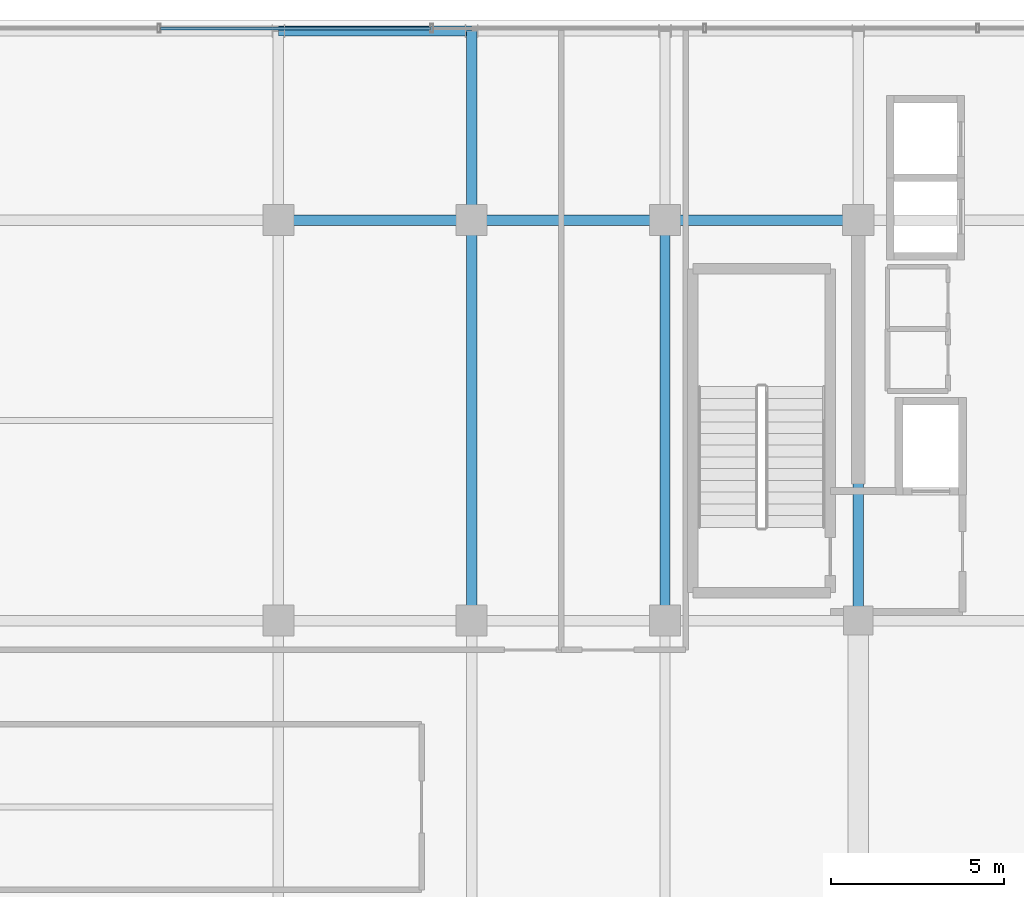
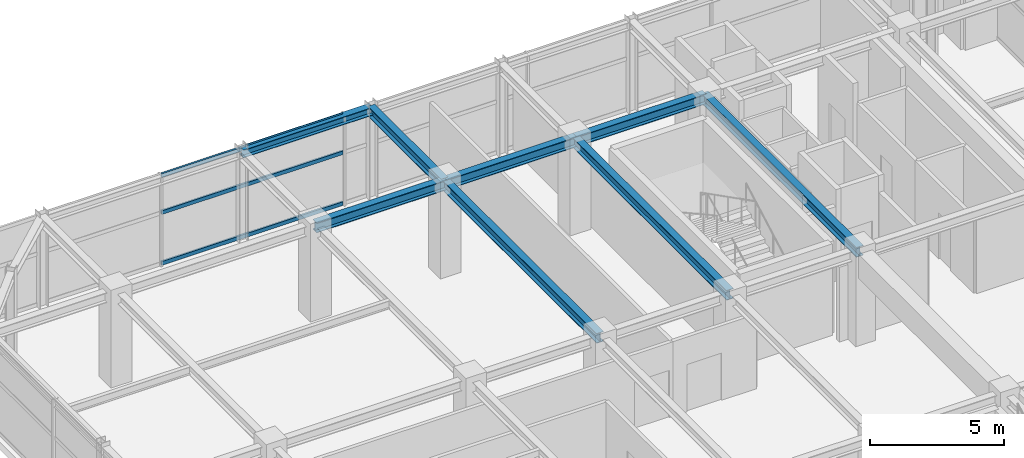
# One storey, part 13 of 20: 8 beams, 3 members, 1 element without a shape of its own.
"""IFC4 building model written with IfcOpenShell, lengths in metres."""

from ifc_helpers import new_model, si_unit, direction, frame, origin, origin_2d, place, context, subcontext, project, spatial, hollow_rectangle, i_section, extrude, source, transform, mapped, material, material_profile, profile_set, type_object, element, aggregate, save


model = new_model("IFC4")

# Units and contexts
model_context = context("Model", 3, precision=1e-05, world=origin(), true_north=direction((0.0, 1.0)))
body_context = subcontext(model_context, "Body", "Model", "MODEL_VIEW")
ifc_project = project(units=[si_unit("LENGTHUNIT", "METRE"), si_unit("AREAUNIT", "SQUARE_METRE"), si_unit("VOLUMEUNIT", "CUBIC_METRE"), si_unit("PLANEANGLEUNIT", "RADIAN"), si_unit("MASSUNIT", "GRAM", prefix="KILO")], contexts=[model_context])

# Site, building, storey
site_placement = place(None, origin())
site = spatial("IfcSite", under=ifc_project, at=site_placement, CompositionType="ELEMENT")
building_placement = place(site_placement, origin())
building = spatial("IfcBuilding", under=site, at=building_placement, Name="Nahalor Promenade Grand Hotel", CompositionType="ELEMENT")
storey_placement = place(building_placement, frame((0.0, 0.0, 347.550048828125)))
storey = spatial("IfcBuildingStorey", under=building, at=storey_placement, Name="L89", CompositionType="ELEMENT", Elevation=347.550048828125)

# Beams
ifc_material_1 = material(Name="Steel S355JR", Category="steel")
ifc_material_profile_1 = material_profile(ifc_material_1, i_section(OverallWidth=0.3, OverallDepth=0.45, WebThickness=0.014, FlangeThickness=0.026, at=origin_2d()), Name="HEB 450")
ifc_profile_set_1 = profile_set([ifc_material_profile_1], Name="Steel S355JR")
beam_type_1 = type_object("IfcBeamType", Name="Beam-Girder-HEB450", PredefinedType="BEAM", material=ifc_profile_set_1)
shared_shape_1 = source(origin(), body_context, "Body", "SweptSolid", [
    extrude(i_section(OverallWidth=0.3, OverallDepth=0.45, WebThickness=0.014, FlangeThickness=0.026, at=origin_2d()), origin(), (0.0, 0.0, 1.0), 5.599853515625),
])
for number, where, z_axis, x_axis, name in (
    (1, (-8.39990234375, 17.0, 3.945068359375), (1.0, 0.0, 0.0), (0.0, 1.0, 0.0), "BM-L89-GX-3-2"),
    (2, (2.800048828125, 17.0, 3.945068359375), (1.0, 0.0, 0.0), (0.0, 1.0, 0.0), "BM-L89-GX-3-4"),
):
    element("IfcBeam", number, at=place(storey_placement, frame(where, z_axis=z_axis, x_axis=x_axis)), inside=storey, type_object=beam_type_1, Name=name, PredefinedType="BEAM", context=body_context, shape_type="MappedRepresentation", body=[
        mapped(shared_shape_1, transform((0.0, 0.0, 0.0), scale=1.0)),
    ])
shared_shape_2 = source(origin(), body_context, "Body", "SweptSolid", [
    extrude(i_section(OverallWidth=0.3, OverallDepth=0.45, WebThickness=0.014, FlangeThickness=0.026, at=origin_2d()), origin(), (0.0, 0.0, 1.0), 5.60009765625),
])
beam_1_placement = place(storey_placement, frame((-2.800048828125, 17.0, 3.945068359375), z_axis=(1.0, 0.0, 0.0), x_axis=(0.0, 1.0, 0.0)))
element("IfcBeam", 3, at=beam_1_placement, inside=storey, type_object=beam_type_1, Name="BM-L89-GX-3-3", PredefinedType="BEAM", context=body_context, shape_type="MappedRepresentation", body=[
    mapped(shared_shape_2, transform((0.0, 0.0, 0.0), scale=1.0)),
])
shared_shape_3 = source(origin(), body_context, "Body", "SweptSolid", [
    extrude(i_section(OverallWidth=0.3, OverallDepth=0.45, WebThickness=0.014, FlangeThickness=0.026, at=origin_2d()), origin(), (0.0, 0.0, 1.0), 11.60009765625),
])
for number, where, z_axis, x_axis, name in (
    (4, (-2.800048828125, 5.39990234375, 3.945068359375), (0.0, 1.0, 0.0), (-1.0, 0.0, 0.0), "BM-L89-GY-2-3"),
    (5, (2.800048828125, 5.39990234375, 3.945068359375), (0.0, 1.0, 0.0), (-1.0, 0.0, 0.0), "BM-L89-GY-3-3"),
    (6, (8.39990234375, 5.39990234375, 3.945068359375), (0.0, 1.0, 0.0), (-1.0, 0.0, 0.0), "BM-L89-GY-4-3"),
):
    element("IfcBeam", number, at=place(storey_placement, frame(where, z_axis=z_axis, x_axis=x_axis)), inside=storey, type_object=beam_type_1, Name=name, PredefinedType="BEAM", context=body_context, shape_type="MappedRepresentation", body=[
        mapped(shared_shape_3, transform((0.0, 0.0, 0.0), scale=1.0)),
    ])
shared_shape_4 = source(origin(), body_context, "Body", "SweptSolid", [
    extrude(i_section(OverallWidth=0.3, OverallDepth=0.45, WebThickness=0.014, FlangeThickness=0.026, at=origin_2d()), origin(), (0.0, 0.0, 1.0), 5.47998046875),
])
beam_2_placement = place(storey_placement, frame((-2.800048828125, 17.0, 3.945068359375), z_axis=(0.0, 1.0, 0.0), x_axis=(-1.0, 0.0, 0.0)))
element("IfcBeam", 7, at=beam_2_placement, inside=storey, type_object=beam_type_1, Name="BM-L89-GY-2-4", PredefinedType="BEAM", context=body_context, shape_type="MappedRepresentation", body=[
    mapped(shared_shape_4, transform((0.0, 0.0, 0.0), scale=1.0)),
])
ifc_material_profile_2 = material_profile(ifc_material_1, i_section(OverallWidth=0.3, OverallDepth=0.36, WebThickness=0.0125, FlangeThickness=0.0225, at=origin_2d()), Name="HEB 360")
ifc_profile_set_2 = profile_set([ifc_material_profile_2], Name="Steel S355JR")
beam_type_2 = type_object("IfcBeamType", Name="Beam-Spandrel-HEB360", PredefinedType="SPANDREL", material=ifc_profile_set_2)
shared_shape_5 = source(origin(), body_context, "Body", "SweptSolid", [
    extrude(i_section(OverallWidth=0.3, OverallDepth=0.36, WebThickness=0.0125, FlangeThickness=0.0225, at=origin_2d()), origin(), (0.0, 0.0, 1.0), 5.599853515625),
])
beam_3_placement = place(storey_placement, frame((-8.39990234375, 22.47998046875, 3.989990234375), z_axis=(1.0, 0.0, 0.0), x_axis=(0.0, 1.0, 0.0)))
element("IfcBeam", 8, at=beam_3_placement, inside=storey, type_object=beam_type_2, Name="BM-L89-SP-N-1", PredefinedType="SPANDREL", context=body_context, shape_type="MappedRepresentation", body=[
    mapped(shared_shape_5, transform((0.0, 0.0, 0.0), scale=1.0)),
])

# Curtain wall, members
ifc_material_2 = material(Name="Anodised Bronze Aluminium EN AW-6063 T6", Category="aluminium")
curtain_wall_type = type_object("IfcCurtainWallType", Name="CW5 Sky-Lobby & Observation Panoramic Curtain Wall", PredefinedType="USERDEFINED", material=ifc_material_2)
curtain_wall_placement = place(storey_placement, origin())
curtain_wall = element("IfcCurtainWall", 9, at=curtain_wall_placement, inside=storey, type_object=curtain_wall_type, Name="L89 Curtain Wall CW-L89-N-1", ObjectType="UNITISED_CURTAIN_WALL", PredefinedType="USERDEFINED")
ifc_material_profile_3 = material_profile(ifc_material_2, hollow_rectangle(XDim=0.085, YDim=0.17, WallThickness=0.005, at=origin_2d()), Name="CWT 85x170x5")
ifc_profile_set_3 = profile_set([ifc_material_profile_3], Name="Anodised Bronze Aluminium EN AW-6063 T6")
member_type = type_object("IfcMemberType", Name="CWT5 Panoramic Transom 85x170", PredefinedType="USERDEFINED", material=ifc_profile_set_3)
shared_shape_6 = source(origin(), body_context, "Body", "SweptSolid", [
    extrude(hollow_rectangle(XDim=0.085, YDim=0.17, WallThickness=0.005, at=origin_2d()), origin(), (0.0, 0.0, 1.0), 7.819091796875),
])
member_1_placement = place(storey_placement, frame((-11.8134765625, 22.56005859375, 0.0849609375), z_axis=(1.0, 0.0, 0.0), x_axis=(0.0, 1.0, 0.0)))
member_1 = element("IfcMember", 10, at=member_1_placement, type_object=member_type, Name="CW-L89-N-1 Transom 1-0", ObjectType="TRANSOM", PredefinedType="USERDEFINED", context=body_context, shape_type="MappedRepresentation", body=[
    mapped(shared_shape_6, transform((0.0, 0.0, 0.0), scale=1.0)),
])
member_2_placement = place(storey_placement, frame((-11.8134765625, 22.56005859375, 2.39990234375), z_axis=(1.0, 0.0, 0.0), x_axis=(0.0, 1.0, 0.0)))
member_2 = element("IfcMember", 11, at=member_2_placement, type_object=member_type, Name="CW-L89-N-1 Transom 1-1", ObjectType="TRANSOM", PredefinedType="USERDEFINED", context=body_context, shape_type="MappedRepresentation", body=[
    mapped(shared_shape_6, transform((0.0, 0.0, 0.0), scale=1.0)),
])
member_3_placement = place(storey_placement, frame((-11.8134765625, 22.56005859375, 4.0849609375), z_axis=(1.0, 0.0, 0.0), x_axis=(0.0, 1.0, 0.0)))
member_3 = element("IfcMember", 12, at=member_3_placement, type_object=member_type, Name="CW-L89-N-1 Transom 1-2", ObjectType="TRANSOM", PredefinedType="USERDEFINED", context=body_context, shape_type="MappedRepresentation", body=[
    mapped(shared_shape_6, transform((0.0, 0.0, 0.0), scale=1.0)),
])
aggregate(curtain_wall, [member_1, member_2, member_3])

save(model, "model.ifc")
